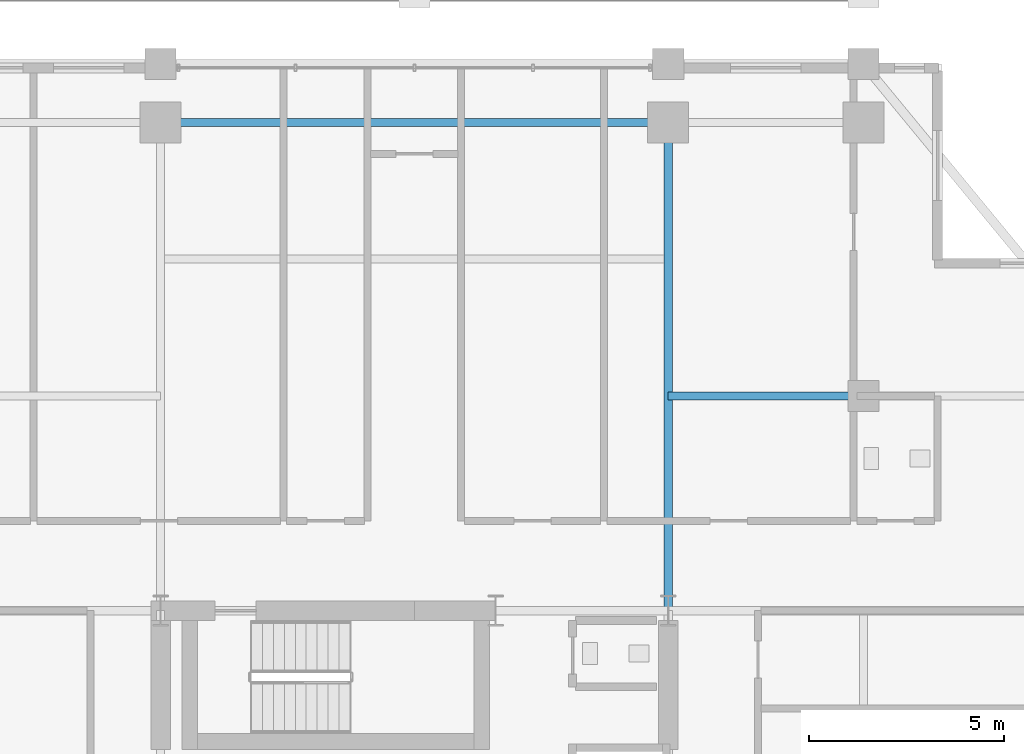
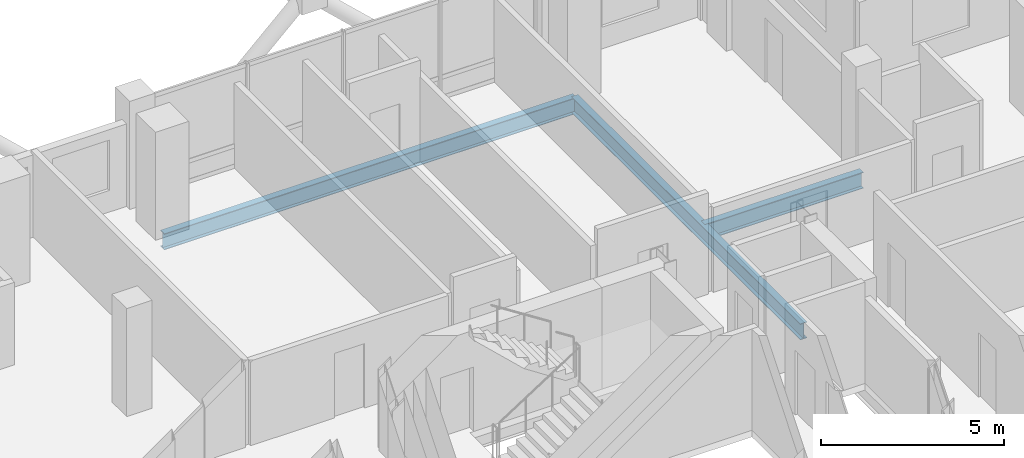
# One storey, part 14 of 23: 3 beams.
"""IFC4 building model written with IfcOpenShell, lengths in metres."""

from ifc_helpers import new_model, si_unit, direction, frame, origin, origin_2d, place, context, subcontext, project, spatial, i_section, extrude, material, material_profile, profile_set, type_object, element, save


model = new_model("IFC4")

# Units and contexts
model_context = context("Model", 3, precision=1e-05, world=origin(), true_north=direction((0.0, 1.0)))
body_context = subcontext(model_context, "Body", "Model", "MODEL_VIEW")
ifc_project = project(units=[si_unit("LENGTHUNIT", "METRE"), si_unit("AREAUNIT", "SQUARE_METRE"), si_unit("VOLUMEUNIT", "CUBIC_METRE"), si_unit("PLANEANGLEUNIT", "RADIAN"), si_unit("MASSUNIT", "GRAM", prefix="KILO")], contexts=[model_context])

# Site, building, storey
site_placement = place(None, origin())
site = spatial("IfcSite", under=ifc_project, at=site_placement, CompositionType="ELEMENT")
building_placement = place(site_placement, origin())
building = spatial("IfcBuilding", under=site, at=building_placement, Name="Barlavira Tower and Art Museum", CompositionType="ELEMENT")
storey_placement = place(building_placement, frame((0.0, 0.0, 205.199951171875)))
storey = spatial("IfcBuildingStorey", under=building, at=storey_placement, Name="L53", CompositionType="ELEMENT", Elevation=205.199951171875)

# Beams
ifc_material = material(Name="Steel S355", Category="steel")
ifc_material_profile = material_profile(ifc_material, i_section(OverallWidth=0.2109375, OverallDepth=0.5390625, WebThickness=0.01171875, FlangeThickness=0.018798828125, at=origin_2d()), Name="W530x109.0")
ifc_profile_set = profile_set([ifc_material_profile], Name="Steel S355")
beam_type = type_object("IfcBeamType", Name="Zone 3-4 Primary Floor Girder W530x109 Steel S355", PredefinedType="BEAM", material=ifc_profile_set)
beam_1_placement = place(storey_placement, frame((-6.5, 20.0, -0.489501953125), z_axis=(1.0, 0.0, 0.0), x_axis=(0.0, 1.0, 0.0)))
element("IfcBeam", 1, at=beam_1_placement, inside=storey, type_object=beam_type, Name="L53 Girder M-N2", PredefinedType="BEAM", context=body_context, shape_type="SweptSolid", body=[
    extrude(i_section(OverallWidth=0.2109375, OverallDepth=0.5390625, WebThickness=0.01171875, FlangeThickness=0.018798828125, at=origin_2d()), origin(), (0.0, 0.0, 1.0), 13.0),
])
beam_2_placement = place(storey_placement, frame((6.5, 7.5, -0.489501953125), z_axis=(0.0, 1.0, 0.0), x_axis=(-1.0, 0.0, 0.0)))
element("IfcBeam", 2, at=beam_2_placement, inside=storey, type_object=beam_type, Name="L53 Girder R-N2", PredefinedType="BEAM", context=body_context, shape_type="SweptSolid", body=[
    extrude(i_section(OverallWidth=0.2109375, OverallDepth=0.5390625, WebThickness=0.01171875, FlangeThickness=0.018798828125, at=origin_2d()), origin(), (0.0, 0.0, 1.0), 12.5),
])
beam_3_placement = place(storey_placement, frame((6.5, 13.0, -0.489501953125), z_axis=(1.0, 0.0, 0.0), x_axis=(0.0, 1.0, 0.0)))
element("IfcBeam", 3, at=beam_3_placement, inside=storey, type_object=beam_type, Name="L53 Girder I-N3", PredefinedType="BEAM", context=body_context, shape_type="SweptSolid", body=[
    extrude(i_section(OverallWidth=0.2109375, OverallDepth=0.5390625, WebThickness=0.01171875, FlangeThickness=0.018798828125, at=origin_2d()), origin(), (0.0, 0.0, 1.0), 5.0),
])

save(model, "model.ifc")
